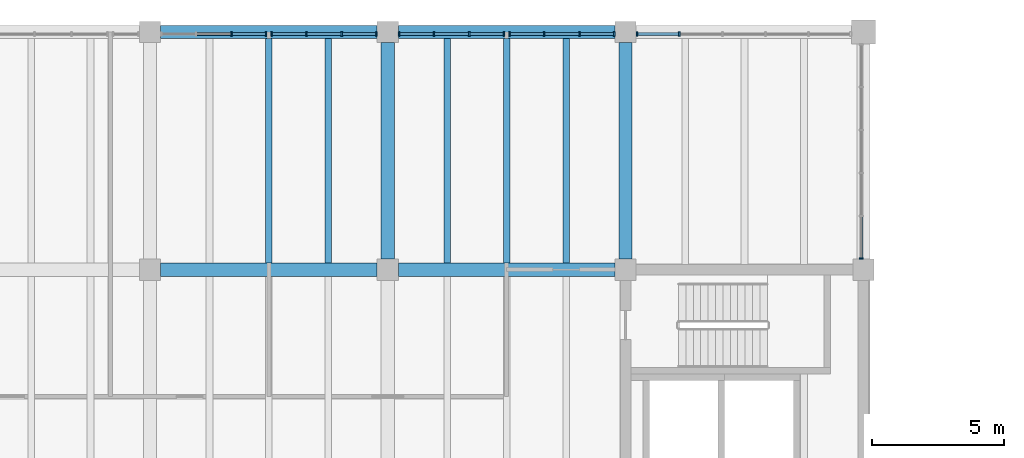
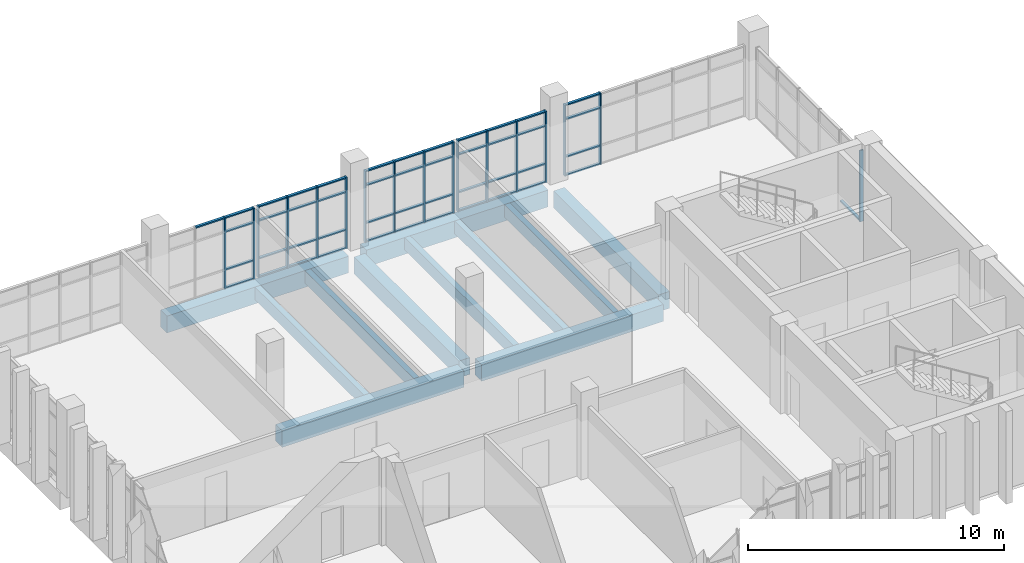
# One storey, part 10 of 29: 63 members, 11 beams, 6 elements without a shape of their own.
"""IFC4 building model written with IfcOpenShell, lengths in metres."""

from ifc_helpers import new_model, si_unit, direction, frame, origin, origin_2d, place, context, subcontext, project, spatial, rectangle, extrude, material, material_profile, profile_set, type_object, element, aggregate, save


model = new_model("IFC4")

# Units and contexts
model_context = context("Model", 3, precision=1e-05, world=origin(), true_north=direction((0.0, 1.0)))
body_context = subcontext(model_context, "Body", "Model", "MODEL_VIEW")
ifc_project = project(units=[si_unit("LENGTHUNIT", "METRE"), si_unit("AREAUNIT", "SQUARE_METRE"), si_unit("VOLUMEUNIT", "CUBIC_METRE"), si_unit("PLANEANGLEUNIT", "RADIAN"), si_unit("MASSUNIT", "GRAM", prefix="KILO")], contexts=[model_context])

# Site, building, storey
site_placement = place(None, origin())
site = spatial("IfcSite", under=ifc_project, at=site_placement, CompositionType="ELEMENT")
building_placement = place(site_placement, origin())
building = spatial("IfcBuilding", under=site, at=building_placement, Name="Merrow Basin Faculty of Sciences", CompositionType="ELEMENT")
storey_placement = place(building_placement, frame((0.0, 0.0, 22.5)))
storey = spatial("IfcBuildingStorey", under=building, at=storey_placement, Name="L05", CompositionType="ELEMENT", Elevation=22.5)

# Curtain wall, members
ifc_material_1 = material(Name="Aluminium alloy 6063", Category="aluminium")
curtain_wall_type = type_object("IfcCurtainWallType", Name="Unitised curtain wall 160", PredefinedType="NOTDEFINED", material=ifc_material_1)
curtain_wall_1_placement = place(storey_placement, origin())
curtain_wall_1 = element("IfcCurtainWall", 1, at=curtain_wall_1_placement, inside=storey, type_object=curtain_wall_type, Name="N curtain wall L05 3", PredefinedType="NOTDEFINED")
ifc_material_2 = material(Name="Aluminium alloy 6063", Category="aluminium")
ifc_material_profile_1 = material_profile(ifc_material_2, rectangle(XDim=0.159912109375, YDim=0.06005859375, at=origin_2d()))
ifc_profile_set_1 = profile_set([ifc_material_profile_1], Name="Aluminium alloy 6063")
member_type_1 = type_object("IfcMemberType", Name="Aluminium mullion 60x160", PredefinedType="MULLION", material=ifc_profile_set_1)
member_1_placement = place(storey_placement, frame((30.083251953125, 168.919921875, 0.0), z_axis=(0.0, 0.0, 1.0), x_axis=(0.0, 1.0, 0.0)))
member_1 = element("IfcMember", 2, at=member_1_placement, type_object=member_type_1, Name="CW3 mullion 3", PredefinedType="MULLION", context=body_context, shape_type="SweptSolid", body=[
    extrude(rectangle(XDim=0.159912109375, YDim=0.06005859375, at=origin_2d()), origin(), (0.0, 0.0, 1.0), 3.39990234375),
])
member_2_placement = place(storey_placement, frame((31.39501953125, 168.919921875, 0.0), z_axis=(0.0, 0.0, 1.0), x_axis=(0.0, 1.0, 0.0)))
member_2 = element("IfcMember", 3, at=member_2_placement, type_object=member_type_1, Name="CW3 mullion 4", PredefinedType="MULLION", context=body_context, shape_type="SweptSolid", body=[
    extrude(rectangle(XDim=0.159912109375, YDim=0.06005859375, at=origin_2d()), origin(), (0.0, 0.0, 1.0), 3.39990234375),
])

curtain_wall_2_placement = place(storey_placement, origin())
curtain_wall_2 = element("IfcCurtainWall", 4, at=curtain_wall_2_placement, inside=storey, type_object=curtain_wall_type, Name="N curtain wall L05 4", PredefinedType="NOTDEFINED")
member_3_placement = place(storey_placement, frame((31.60498046875, 168.919921875, 0.0), z_axis=(0.0, 0.0, 1.0), x_axis=(0.0, 1.0, 0.0)))
member_3 = element("IfcMember", 5, at=member_3_placement, type_object=member_type_1, Name="CW3 mullion 1", PredefinedType="MULLION", context=body_context, shape_type="SweptSolid", body=[
    extrude(rectangle(XDim=0.159912109375, YDim=0.06005859375, at=origin_2d()), origin(), (0.0, 0.0, 1.0), 3.39990234375),
])
member_4_placement = place(storey_placement, frame((32.916748046875, 168.919921875, 0.0), z_axis=(0.0, 0.0, 1.0), x_axis=(0.0, 1.0, 0.0)))
member_4 = element("IfcMember", 6, at=member_4_placement, type_object=member_type_1, Name="CW3 mullion 2", PredefinedType="MULLION", context=body_context, shape_type="SweptSolid", body=[
    extrude(rectangle(XDim=0.159912109375, YDim=0.06005859375, at=origin_2d()), origin(), (0.0, 0.0, 1.0), 3.39990234375),
])
member_5_placement = place(storey_placement, frame((34.25830078125, 168.919921875, 0.0), z_axis=(0.0, 0.0, 1.0), x_axis=(0.0, 1.0, 0.0)))
member_5 = element("IfcMember", 7, at=member_5_placement, type_object=member_type_1, Name="CW3 mullion 3", PredefinedType="MULLION", context=body_context, shape_type="SweptSolid", body=[
    extrude(rectangle(XDim=0.159912109375, YDim=0.06005859375, at=origin_2d()), origin(), (0.0, 0.0, 1.0), 3.39990234375),
])
member_6_placement = place(storey_placement, frame((35.570068359375, 168.919921875, 0.0), z_axis=(0.0, 0.0, 1.0), x_axis=(0.0, 1.0, 0.0)))
member_6 = element("IfcMember", 8, at=member_6_placement, type_object=member_type_1, Name="CW3 mullion 4", PredefinedType="MULLION", context=body_context, shape_type="SweptSolid", body=[
    extrude(rectangle(XDim=0.159912109375, YDim=0.06005859375, at=origin_2d()), origin(), (0.0, 0.0, 1.0), 3.39990234375),
])

curtain_wall_3_placement = place(storey_placement, origin())
curtain_wall_3 = element("IfcCurtainWall", 9, at=curtain_wall_3_placement, inside=storey, type_object=curtain_wall_type, Name="N curtain wall L05 5", PredefinedType="NOTDEFINED")
member_7_placement = place(storey_placement, frame((36.429931640625, 168.919921875, 0.0), z_axis=(0.0, 0.0, 1.0), x_axis=(0.0, 1.0, 0.0)))
member_7 = element("IfcMember", 10, at=member_7_placement, type_object=member_type_1, Name="CW3 mullion 1", PredefinedType="MULLION", context=body_context, shape_type="SweptSolid", body=[
    extrude(rectangle(XDim=0.159912109375, YDim=0.06005859375, at=origin_2d()), origin(), (0.0, 0.0, 1.0), 3.39990234375),
])
member_8_placement = place(storey_placement, frame((37.74169921875, 168.919921875, 0.0), z_axis=(0.0, 0.0, 1.0), x_axis=(0.0, 1.0, 0.0)))
member_8 = element("IfcMember", 11, at=member_8_placement, type_object=member_type_1, Name="CW3 mullion 2", PredefinedType="MULLION", context=body_context, shape_type="SweptSolid", body=[
    extrude(rectangle(XDim=0.159912109375, YDim=0.06005859375, at=origin_2d()), origin(), (0.0, 0.0, 1.0), 3.39990234375),
])
member_9_placement = place(storey_placement, frame((39.083251953125, 168.919921875, 0.0), z_axis=(0.0, 0.0, 1.0), x_axis=(0.0, 1.0, 0.0)))
member_9 = element("IfcMember", 12, at=member_9_placement, type_object=member_type_1, Name="CW3 mullion 3", PredefinedType="MULLION", context=body_context, shape_type="SweptSolid", body=[
    extrude(rectangle(XDim=0.159912109375, YDim=0.06005859375, at=origin_2d()), origin(), (0.0, 0.0, 1.0), 3.39990234375),
])
member_10_placement = place(storey_placement, frame((40.39501953125, 168.919921875, 0.0), z_axis=(0.0, 0.0, 1.0), x_axis=(0.0, 1.0, 0.0)))
member_10 = element("IfcMember", 13, at=member_10_placement, type_object=member_type_1, Name="CW3 mullion 4", PredefinedType="MULLION", context=body_context, shape_type="SweptSolid", body=[
    extrude(rectangle(XDim=0.159912109375, YDim=0.06005859375, at=origin_2d()), origin(), (0.0, 0.0, 1.0), 3.39990234375),
])

curtain_wall_4_placement = place(storey_placement, origin())
curtain_wall_4 = element("IfcCurtainWall", 14, at=curtain_wall_4_placement, inside=storey, type_object=curtain_wall_type, Name="N curtain wall L05 6", PredefinedType="NOTDEFINED")
member_11_placement = place(storey_placement, frame((40.60498046875, 168.919921875, 0.0), z_axis=(0.0, 0.0, 1.0), x_axis=(0.0, 1.0, 0.0)))
member_11 = element("IfcMember", 15, at=member_11_placement, type_object=member_type_1, Name="CW3 mullion 1", PredefinedType="MULLION", context=body_context, shape_type="SweptSolid", body=[
    extrude(rectangle(XDim=0.159912109375, YDim=0.06005859375, at=origin_2d()), origin(), (0.0, 0.0, 1.0), 3.39990234375),
])
member_12_placement = place(storey_placement, frame((41.916748046875, 168.919921875, 0.0), z_axis=(0.0, 0.0, 1.0), x_axis=(0.0, 1.0, 0.0)))
member_12 = element("IfcMember", 16, at=member_12_placement, type_object=member_type_1, Name="CW3 mullion 2", PredefinedType="MULLION", context=body_context, shape_type="SweptSolid", body=[
    extrude(rectangle(XDim=0.159912109375, YDim=0.06005859375, at=origin_2d()), origin(), (0.0, 0.0, 1.0), 3.39990234375),
])
member_13_placement = place(storey_placement, frame((43.25830078125, 168.919921875, 0.0), z_axis=(0.0, 0.0, 1.0), x_axis=(0.0, 1.0, 0.0)))
member_13 = element("IfcMember", 17, at=member_13_placement, type_object=member_type_1, Name="CW3 mullion 3", PredefinedType="MULLION", context=body_context, shape_type="SweptSolid", body=[
    extrude(rectangle(XDim=0.159912109375, YDim=0.06005859375, at=origin_2d()), origin(), (0.0, 0.0, 1.0), 3.39990234375),
])
member_14_placement = place(storey_placement, frame((44.570068359375, 168.919921875, 0.0), z_axis=(0.0, 0.0, 1.0), x_axis=(0.0, 1.0, 0.0)))
member_14 = element("IfcMember", 18, at=member_14_placement, type_object=member_type_1, Name="CW3 mullion 4", PredefinedType="MULLION", context=body_context, shape_type="SweptSolid", body=[
    extrude(rectangle(XDim=0.159912109375, YDim=0.06005859375, at=origin_2d()), origin(), (0.0, 0.0, 1.0), 3.39990234375),
])

curtain_wall_5_placement = place(storey_placement, origin())
curtain_wall_5 = element("IfcCurtainWall", 19, at=curtain_wall_5_placement, inside=storey, type_object=curtain_wall_type, Name="N curtain wall L05 7", PredefinedType="NOTDEFINED")
member_15_placement = place(storey_placement, frame((45.429931640625, 168.919921875, 0.0), z_axis=(0.0, 0.0, 1.0), x_axis=(0.0, 1.0, 0.0)))
member_15 = element("IfcMember", 20, at=member_15_placement, type_object=member_type_1, Name="CW3 mullion 1", PredefinedType="MULLION", context=body_context, shape_type="SweptSolid", body=[
    extrude(rectangle(XDim=0.159912109375, YDim=0.06005859375, at=origin_2d()), origin(), (0.0, 0.0, 1.0), 3.39990234375),
])
member_16_placement = place(storey_placement, frame((47.030029296875, 168.919921875, 0.0), z_axis=(0.0, 0.0, 1.0), x_axis=(0.0, 1.0, 0.0)))
member_16 = element("IfcMember", 21, at=member_16_placement, type_object=member_type_1, Name="CW3 mullion 2", PredefinedType="MULLION", context=body_context, shape_type="SweptSolid", body=[
    extrude(rectangle(XDim=0.159912109375, YDim=0.06005859375, at=origin_2d()), origin(), (0.0, 0.0, 1.0), 3.39990234375),
])

# Curtain wall, member
curtain_wall_6_placement = place(storey_placement, origin())
curtain_wall_6 = element("IfcCurtainWall", 22, at=curtain_wall_6_placement, inside=storey, type_object=curtain_wall_type, Name="E curtain wall L05 1", PredefinedType="NOTDEFINED")
member_17_placement = place(storey_placement, frame((53.919921875, 160.429931640625, 0.0), z_axis=(0.0, 0.0, 1.0), x_axis=(-1.0, 0.0, 0.0)))
member_17 = element("IfcMember", 23, at=member_17_placement, type_object=member_type_1, Name="CW3 mullion 1", PredefinedType="MULLION", context=body_context, shape_type="SweptSolid", body=[
    extrude(rectangle(XDim=0.159912109375, YDim=0.06005859375, at=origin_2d()), origin(), (0.0, 0.0, 1.0), 3.39990234375),
])

# Member
ifc_material_3 = material(Name="Aluminium alloy 6063", Category="aluminium")
ifc_material_profile_2 = material_profile(ifc_material_3, rectangle(XDim=0.1201171875, YDim=0.06005859375, at=origin_2d()))
ifc_profile_set_2 = profile_set([ifc_material_profile_2], Name="Aluminium alloy 6063")
member_type_2 = type_object("IfcMemberType", Name="Aluminium transom 60x120", PredefinedType="USERDEFINED", material=ifc_profile_set_2)
member_18_placement = place(storey_placement, frame((28.771728515625, 168.919921875, 3.3701171875), z_axis=(1.0, 0.0, 0.0), x_axis=(0.0, 1.0, 0.0)))
member_18 = element("IfcMember", 24, at=member_18_placement, type_object=member_type_2, Name="CW3 transom 2.4", ObjectType="TRANSOM", PredefinedType="USERDEFINED", context=body_context, shape_type="SweptSolid", body=[
    extrude(rectangle(XDim=0.1201171875, YDim=0.06005859375, at=origin_2d()), origin(), (0.0, 0.0, 1.0), 1.281494140625),
])

member_19_placement = place(storey_placement, frame((30.11328125, 168.919921875, 0.030029296875), z_axis=(1.0, 0.0, 0.0), x_axis=(0.0, 1.0, 0.0)))
member_19 = element("IfcMember", 25, at=member_19_placement, type_object=member_type_2, Name="CW3 transom 3.1", ObjectType="TRANSOM", PredefinedType="USERDEFINED", context=body_context, shape_type="SweptSolid", body=[
    extrude(rectangle(XDim=0.1201171875, YDim=0.06005859375, at=origin_2d()), origin(), (0.0, 0.0, 1.0), 1.251708984375),
])

member_20_placement = place(storey_placement, frame((30.11328125, 168.919921875, 0.89990234375), z_axis=(1.0, 0.0, 0.0), x_axis=(0.0, 1.0, 0.0)))
member_20 = element("IfcMember", 26, at=member_20_placement, type_object=member_type_2, Name="CW3 transom 3.2", ObjectType="TRANSOM", PredefinedType="USERDEFINED", context=body_context, shape_type="SweptSolid", body=[
    extrude(rectangle(XDim=0.1201171875, YDim=0.06005859375, at=origin_2d()), origin(), (0.0, 0.0, 1.0), 1.251708984375),
])

member_21_placement = place(storey_placement, frame((30.11328125, 168.919921875, 2.699951171875), z_axis=(1.0, 0.0, 0.0), x_axis=(0.0, 1.0, 0.0)))
member_21 = element("IfcMember", 27, at=member_21_placement, type_object=member_type_2, Name="CW3 transom 3.3", ObjectType="TRANSOM", PredefinedType="USERDEFINED", context=body_context, shape_type="SweptSolid", body=[
    extrude(rectangle(XDim=0.1201171875, YDim=0.06005859375, at=origin_2d()), origin(), (0.0, 0.0, 1.0), 1.251708984375),
])

member_22_placement = place(storey_placement, frame((30.11328125, 168.919921875, 3.3701171875), z_axis=(1.0, 0.0, 0.0), x_axis=(0.0, 1.0, 0.0)))
member_22 = element("IfcMember", 28, at=member_22_placement, type_object=member_type_2, Name="CW3 transom 3.4", ObjectType="TRANSOM", PredefinedType="USERDEFINED", context=body_context, shape_type="SweptSolid", body=[
    extrude(rectangle(XDim=0.1201171875, YDim=0.06005859375, at=origin_2d()), origin(), (0.0, 0.0, 1.0), 1.251708984375),
])

aggregate(curtain_wall_1, [member_1, member_2, member_18, member_19, member_20, member_21, member_22])

member_23_placement = place(storey_placement, frame((31.635009765625, 168.919921875, 0.030029296875), z_axis=(1.0, 0.0, 0.0), x_axis=(0.0, 1.0, 0.0)))
member_23 = element("IfcMember", 29, at=member_23_placement, type_object=member_type_2, Name="CW3 transom 1.1", ObjectType="TRANSOM", PredefinedType="USERDEFINED", context=body_context, shape_type="SweptSolid", body=[
    extrude(rectangle(XDim=0.1201171875, YDim=0.06005859375, at=origin_2d()), origin(), (0.0, 0.0, 1.0), 1.251708984375),
])

member_24_placement = place(storey_placement, frame((31.635009765625, 168.919921875, 0.89990234375), z_axis=(1.0, 0.0, 0.0), x_axis=(0.0, 1.0, 0.0)))
member_24 = element("IfcMember", 30, at=member_24_placement, type_object=member_type_2, Name="CW3 transom 1.2", ObjectType="TRANSOM", PredefinedType="USERDEFINED", context=body_context, shape_type="SweptSolid", body=[
    extrude(rectangle(XDim=0.1201171875, YDim=0.06005859375, at=origin_2d()), origin(), (0.0, 0.0, 1.0), 1.251708984375),
])

member_25_placement = place(storey_placement, frame((31.635009765625, 168.919921875, 2.699951171875), z_axis=(1.0, 0.0, 0.0), x_axis=(0.0, 1.0, 0.0)))
member_25 = element("IfcMember", 31, at=member_25_placement, type_object=member_type_2, Name="CW3 transom 1.3", ObjectType="TRANSOM", PredefinedType="USERDEFINED", context=body_context, shape_type="SweptSolid", body=[
    extrude(rectangle(XDim=0.1201171875, YDim=0.06005859375, at=origin_2d()), origin(), (0.0, 0.0, 1.0), 1.251708984375),
])

member_26_placement = place(storey_placement, frame((31.635009765625, 168.919921875, 3.3701171875), z_axis=(1.0, 0.0, 0.0), x_axis=(0.0, 1.0, 0.0)))
member_26 = element("IfcMember", 32, at=member_26_placement, type_object=member_type_2, Name="CW3 transom 1.4", ObjectType="TRANSOM", PredefinedType="USERDEFINED", context=body_context, shape_type="SweptSolid", body=[
    extrude(rectangle(XDim=0.1201171875, YDim=0.06005859375, at=origin_2d()), origin(), (0.0, 0.0, 1.0), 1.251708984375),
])

member_27_placement = place(storey_placement, frame((32.94677734375, 168.919921875, 0.030029296875), z_axis=(1.0, 0.0, 0.0), x_axis=(0.0, 1.0, 0.0)))
member_27 = element("IfcMember", 33, at=member_27_placement, type_object=member_type_2, Name="CW3 transom 2.1", ObjectType="TRANSOM", PredefinedType="USERDEFINED", context=body_context, shape_type="SweptSolid", body=[
    extrude(rectangle(XDim=0.1201171875, YDim=0.06005859375, at=origin_2d()), origin(), (0.0, 0.0, 1.0), 1.281494140625),
])

member_28_placement = place(storey_placement, frame((32.94677734375, 168.919921875, 0.89990234375), z_axis=(1.0, 0.0, 0.0), x_axis=(0.0, 1.0, 0.0)))
member_28 = element("IfcMember", 34, at=member_28_placement, type_object=member_type_2, Name="CW3 transom 2.2", ObjectType="TRANSOM", PredefinedType="USERDEFINED", context=body_context, shape_type="SweptSolid", body=[
    extrude(rectangle(XDim=0.1201171875, YDim=0.06005859375, at=origin_2d()), origin(), (0.0, 0.0, 1.0), 1.281494140625),
])

member_29_placement = place(storey_placement, frame((32.94677734375, 168.919921875, 2.699951171875), z_axis=(1.0, 0.0, 0.0), x_axis=(0.0, 1.0, 0.0)))
member_29 = element("IfcMember", 35, at=member_29_placement, type_object=member_type_2, Name="CW3 transom 2.3", ObjectType="TRANSOM", PredefinedType="USERDEFINED", context=body_context, shape_type="SweptSolid", body=[
    extrude(rectangle(XDim=0.1201171875, YDim=0.06005859375, at=origin_2d()), origin(), (0.0, 0.0, 1.0), 1.281494140625),
])

member_30_placement = place(storey_placement, frame((32.94677734375, 168.919921875, 3.3701171875), z_axis=(1.0, 0.0, 0.0), x_axis=(0.0, 1.0, 0.0)))
member_30 = element("IfcMember", 36, at=member_30_placement, type_object=member_type_2, Name="CW3 transom 2.4", ObjectType="TRANSOM", PredefinedType="USERDEFINED", context=body_context, shape_type="SweptSolid", body=[
    extrude(rectangle(XDim=0.1201171875, YDim=0.06005859375, at=origin_2d()), origin(), (0.0, 0.0, 1.0), 1.281494140625),
])

member_31_placement = place(storey_placement, frame((34.288330078125, 168.919921875, 0.030029296875), z_axis=(1.0, 0.0, 0.0), x_axis=(0.0, 1.0, 0.0)))
member_31 = element("IfcMember", 37, at=member_31_placement, type_object=member_type_2, Name="CW3 transom 3.1", ObjectType="TRANSOM", PredefinedType="USERDEFINED", context=body_context, shape_type="SweptSolid", body=[
    extrude(rectangle(XDim=0.1201171875, YDim=0.06005859375, at=origin_2d()), origin(), (0.0, 0.0, 1.0), 1.251708984375),
])

member_32_placement = place(storey_placement, frame((34.288330078125, 168.919921875, 0.89990234375), z_axis=(1.0, 0.0, 0.0), x_axis=(0.0, 1.0, 0.0)))
member_32 = element("IfcMember", 38, at=member_32_placement, type_object=member_type_2, Name="CW3 transom 3.2", ObjectType="TRANSOM", PredefinedType="USERDEFINED", context=body_context, shape_type="SweptSolid", body=[
    extrude(rectangle(XDim=0.1201171875, YDim=0.06005859375, at=origin_2d()), origin(), (0.0, 0.0, 1.0), 1.251708984375),
])

member_33_placement = place(storey_placement, frame((34.288330078125, 168.919921875, 2.699951171875), z_axis=(1.0, 0.0, 0.0), x_axis=(0.0, 1.0, 0.0)))
member_33 = element("IfcMember", 39, at=member_33_placement, type_object=member_type_2, Name="CW3 transom 3.3", ObjectType="TRANSOM", PredefinedType="USERDEFINED", context=body_context, shape_type="SweptSolid", body=[
    extrude(rectangle(XDim=0.1201171875, YDim=0.06005859375, at=origin_2d()), origin(), (0.0, 0.0, 1.0), 1.251708984375),
])

member_34_placement = place(storey_placement, frame((34.288330078125, 168.919921875, 3.3701171875), z_axis=(1.0, 0.0, 0.0), x_axis=(0.0, 1.0, 0.0)))
member_34 = element("IfcMember", 40, at=member_34_placement, type_object=member_type_2, Name="CW3 transom 3.4", ObjectType="TRANSOM", PredefinedType="USERDEFINED", context=body_context, shape_type="SweptSolid", body=[
    extrude(rectangle(XDim=0.1201171875, YDim=0.06005859375, at=origin_2d()), origin(), (0.0, 0.0, 1.0), 1.251708984375),
])

aggregate(curtain_wall_2, [member_3, member_4, member_5, member_6, member_23, member_24, member_25, member_26, member_27, member_28, member_29, member_30, member_31, member_32, member_33, member_34])

member_35_placement = place(storey_placement, frame((36.4599609375, 168.919921875, 0.030029296875), z_axis=(1.0, 0.0, 0.0), x_axis=(0.0, 1.0, 0.0)))
member_35 = element("IfcMember", 41, at=member_35_placement, type_object=member_type_2, Name="CW3 transom 1.1", ObjectType="TRANSOM", PredefinedType="USERDEFINED", context=body_context, shape_type="SweptSolid", body=[
    extrude(rectangle(XDim=0.1201171875, YDim=0.06005859375, at=origin_2d()), origin(), (0.0, 0.0, 1.0), 1.251708984375),
])

member_36_placement = place(storey_placement, frame((36.4599609375, 168.919921875, 0.89990234375), z_axis=(1.0, 0.0, 0.0), x_axis=(0.0, 1.0, 0.0)))
member_36 = element("IfcMember", 42, at=member_36_placement, type_object=member_type_2, Name="CW3 transom 1.2", ObjectType="TRANSOM", PredefinedType="USERDEFINED", context=body_context, shape_type="SweptSolid", body=[
    extrude(rectangle(XDim=0.1201171875, YDim=0.06005859375, at=origin_2d()), origin(), (0.0, 0.0, 1.0), 1.251708984375),
])

member_37_placement = place(storey_placement, frame((36.4599609375, 168.919921875, 2.699951171875), z_axis=(1.0, 0.0, 0.0), x_axis=(0.0, 1.0, 0.0)))
member_37 = element("IfcMember", 43, at=member_37_placement, type_object=member_type_2, Name="CW3 transom 1.3", ObjectType="TRANSOM", PredefinedType="USERDEFINED", context=body_context, shape_type="SweptSolid", body=[
    extrude(rectangle(XDim=0.1201171875, YDim=0.06005859375, at=origin_2d()), origin(), (0.0, 0.0, 1.0), 1.251708984375),
])

member_38_placement = place(storey_placement, frame((36.4599609375, 168.919921875, 3.3701171875), z_axis=(1.0, 0.0, 0.0), x_axis=(0.0, 1.0, 0.0)))
member_38 = element("IfcMember", 44, at=member_38_placement, type_object=member_type_2, Name="CW3 transom 1.4", ObjectType="TRANSOM", PredefinedType="USERDEFINED", context=body_context, shape_type="SweptSolid", body=[
    extrude(rectangle(XDim=0.1201171875, YDim=0.06005859375, at=origin_2d()), origin(), (0.0, 0.0, 1.0), 1.251708984375),
])

member_39_placement = place(storey_placement, frame((37.771728515625, 168.919921875, 0.030029296875), z_axis=(1.0, 0.0, 0.0), x_axis=(0.0, 1.0, 0.0)))
member_39 = element("IfcMember", 45, at=member_39_placement, type_object=member_type_2, Name="CW3 transom 2.1", ObjectType="TRANSOM", PredefinedType="USERDEFINED", context=body_context, shape_type="SweptSolid", body=[
    extrude(rectangle(XDim=0.1201171875, YDim=0.06005859375, at=origin_2d()), origin(), (0.0, 0.0, 1.0), 1.281494140625),
])

member_40_placement = place(storey_placement, frame((37.771728515625, 168.919921875, 0.89990234375), z_axis=(1.0, 0.0, 0.0), x_axis=(0.0, 1.0, 0.0)))
member_40 = element("IfcMember", 46, at=member_40_placement, type_object=member_type_2, Name="CW3 transom 2.2", ObjectType="TRANSOM", PredefinedType="USERDEFINED", context=body_context, shape_type="SweptSolid", body=[
    extrude(rectangle(XDim=0.1201171875, YDim=0.06005859375, at=origin_2d()), origin(), (0.0, 0.0, 1.0), 1.281494140625),
])

member_41_placement = place(storey_placement, frame((37.771728515625, 168.919921875, 2.699951171875), z_axis=(1.0, 0.0, 0.0), x_axis=(0.0, 1.0, 0.0)))
member_41 = element("IfcMember", 47, at=member_41_placement, type_object=member_type_2, Name="CW3 transom 2.3", ObjectType="TRANSOM", PredefinedType="USERDEFINED", context=body_context, shape_type="SweptSolid", body=[
    extrude(rectangle(XDim=0.1201171875, YDim=0.06005859375, at=origin_2d()), origin(), (0.0, 0.0, 1.0), 1.281494140625),
])

member_42_placement = place(storey_placement, frame((37.771728515625, 168.919921875, 3.3701171875), z_axis=(1.0, 0.0, 0.0), x_axis=(0.0, 1.0, 0.0)))
member_42 = element("IfcMember", 48, at=member_42_placement, type_object=member_type_2, Name="CW3 transom 2.4", ObjectType="TRANSOM", PredefinedType="USERDEFINED", context=body_context, shape_type="SweptSolid", body=[
    extrude(rectangle(XDim=0.1201171875, YDim=0.06005859375, at=origin_2d()), origin(), (0.0, 0.0, 1.0), 1.281494140625),
])

member_43_placement = place(storey_placement, frame((39.11328125, 168.919921875, 0.030029296875), z_axis=(1.0, 0.0, 0.0), x_axis=(0.0, 1.0, 0.0)))
member_43 = element("IfcMember", 49, at=member_43_placement, type_object=member_type_2, Name="CW3 transom 3.1", ObjectType="TRANSOM", PredefinedType="USERDEFINED", context=body_context, shape_type="SweptSolid", body=[
    extrude(rectangle(XDim=0.1201171875, YDim=0.06005859375, at=origin_2d()), origin(), (0.0, 0.0, 1.0), 1.251708984375),
])

member_44_placement = place(storey_placement, frame((39.11328125, 168.919921875, 0.89990234375), z_axis=(1.0, 0.0, 0.0), x_axis=(0.0, 1.0, 0.0)))
member_44 = element("IfcMember", 50, at=member_44_placement, type_object=member_type_2, Name="CW3 transom 3.2", ObjectType="TRANSOM", PredefinedType="USERDEFINED", context=body_context, shape_type="SweptSolid", body=[
    extrude(rectangle(XDim=0.1201171875, YDim=0.06005859375, at=origin_2d()), origin(), (0.0, 0.0, 1.0), 1.251708984375),
])

member_45_placement = place(storey_placement, frame((39.11328125, 168.919921875, 2.699951171875), z_axis=(1.0, 0.0, 0.0), x_axis=(0.0, 1.0, 0.0)))
member_45 = element("IfcMember", 51, at=member_45_placement, type_object=member_type_2, Name="CW3 transom 3.3", ObjectType="TRANSOM", PredefinedType="USERDEFINED", context=body_context, shape_type="SweptSolid", body=[
    extrude(rectangle(XDim=0.1201171875, YDim=0.06005859375, at=origin_2d()), origin(), (0.0, 0.0, 1.0), 1.251708984375),
])

member_46_placement = place(storey_placement, frame((39.11328125, 168.919921875, 3.3701171875), z_axis=(1.0, 0.0, 0.0), x_axis=(0.0, 1.0, 0.0)))
member_46 = element("IfcMember", 52, at=member_46_placement, type_object=member_type_2, Name="CW3 transom 3.4", ObjectType="TRANSOM", PredefinedType="USERDEFINED", context=body_context, shape_type="SweptSolid", body=[
    extrude(rectangle(XDim=0.1201171875, YDim=0.06005859375, at=origin_2d()), origin(), (0.0, 0.0, 1.0), 1.251708984375),
])

aggregate(curtain_wall_3, [member_7, member_8, member_9, member_10, member_35, member_36, member_37, member_38, member_39, member_40, member_41, member_42, member_43, member_44, member_45, member_46])

member_47_placement = place(storey_placement, frame((40.635009765625, 168.919921875, 0.030029296875), z_axis=(1.0, 0.0, 0.0), x_axis=(0.0, 1.0, 0.0)))
member_47 = element("IfcMember", 53, at=member_47_placement, type_object=member_type_2, Name="CW3 transom 1.1", ObjectType="TRANSOM", PredefinedType="USERDEFINED", context=body_context, shape_type="SweptSolid", body=[
    extrude(rectangle(XDim=0.1201171875, YDim=0.06005859375, at=origin_2d()), origin(), (0.0, 0.0, 1.0), 1.251708984375),
])

member_48_placement = place(storey_placement, frame((40.635009765625, 168.919921875, 0.89990234375), z_axis=(1.0, 0.0, 0.0), x_axis=(0.0, 1.0, 0.0)))
member_48 = element("IfcMember", 54, at=member_48_placement, type_object=member_type_2, Name="CW3 transom 1.2", ObjectType="TRANSOM", PredefinedType="USERDEFINED", context=body_context, shape_type="SweptSolid", body=[
    extrude(rectangle(XDim=0.1201171875, YDim=0.06005859375, at=origin_2d()), origin(), (0.0, 0.0, 1.0), 1.251708984375),
])

member_49_placement = place(storey_placement, frame((40.635009765625, 168.919921875, 2.699951171875), z_axis=(1.0, 0.0, 0.0), x_axis=(0.0, 1.0, 0.0)))
member_49 = element("IfcMember", 55, at=member_49_placement, type_object=member_type_2, Name="CW3 transom 1.3", ObjectType="TRANSOM", PredefinedType="USERDEFINED", context=body_context, shape_type="SweptSolid", body=[
    extrude(rectangle(XDim=0.1201171875, YDim=0.06005859375, at=origin_2d()), origin(), (0.0, 0.0, 1.0), 1.251708984375),
])

member_50_placement = place(storey_placement, frame((40.635009765625, 168.919921875, 3.3701171875), z_axis=(1.0, 0.0, 0.0), x_axis=(0.0, 1.0, 0.0)))
member_50 = element("IfcMember", 56, at=member_50_placement, type_object=member_type_2, Name="CW3 transom 1.4", ObjectType="TRANSOM", PredefinedType="USERDEFINED", context=body_context, shape_type="SweptSolid", body=[
    extrude(rectangle(XDim=0.1201171875, YDim=0.06005859375, at=origin_2d()), origin(), (0.0, 0.0, 1.0), 1.251708984375),
])

member_51_placement = place(storey_placement, frame((41.94677734375, 168.919921875, 0.030029296875), z_axis=(1.0, 0.0, 0.0), x_axis=(0.0, 1.0, 0.0)))
member_51 = element("IfcMember", 57, at=member_51_placement, type_object=member_type_2, Name="CW3 transom 2.1", ObjectType="TRANSOM", PredefinedType="USERDEFINED", context=body_context, shape_type="SweptSolid", body=[
    extrude(rectangle(XDim=0.1201171875, YDim=0.06005859375, at=origin_2d()), origin(), (0.0, 0.0, 1.0), 1.281494140625),
])

member_52_placement = place(storey_placement, frame((41.94677734375, 168.919921875, 0.89990234375), z_axis=(1.0, 0.0, 0.0), x_axis=(0.0, 1.0, 0.0)))
member_52 = element("IfcMember", 58, at=member_52_placement, type_object=member_type_2, Name="CW3 transom 2.2", ObjectType="TRANSOM", PredefinedType="USERDEFINED", context=body_context, shape_type="SweptSolid", body=[
    extrude(rectangle(XDim=0.1201171875, YDim=0.06005859375, at=origin_2d()), origin(), (0.0, 0.0, 1.0), 1.281494140625),
])

member_53_placement = place(storey_placement, frame((41.94677734375, 168.919921875, 2.699951171875), z_axis=(1.0, 0.0, 0.0), x_axis=(0.0, 1.0, 0.0)))
member_53 = element("IfcMember", 59, at=member_53_placement, type_object=member_type_2, Name="CW3 transom 2.3", ObjectType="TRANSOM", PredefinedType="USERDEFINED", context=body_context, shape_type="SweptSolid", body=[
    extrude(rectangle(XDim=0.1201171875, YDim=0.06005859375, at=origin_2d()), origin(), (0.0, 0.0, 1.0), 1.281494140625),
])

member_54_placement = place(storey_placement, frame((41.94677734375, 168.919921875, 3.3701171875), z_axis=(1.0, 0.0, 0.0), x_axis=(0.0, 1.0, 0.0)))
member_54 = element("IfcMember", 60, at=member_54_placement, type_object=member_type_2, Name="CW3 transom 2.4", ObjectType="TRANSOM", PredefinedType="USERDEFINED", context=body_context, shape_type="SweptSolid", body=[
    extrude(rectangle(XDim=0.1201171875, YDim=0.06005859375, at=origin_2d()), origin(), (0.0, 0.0, 1.0), 1.281494140625),
])

member_55_placement = place(storey_placement, frame((43.288330078125, 168.919921875, 0.030029296875), z_axis=(1.0, 0.0, 0.0), x_axis=(0.0, 1.0, 0.0)))
member_55 = element("IfcMember", 61, at=member_55_placement, type_object=member_type_2, Name="CW3 transom 3.1", ObjectType="TRANSOM", PredefinedType="USERDEFINED", context=body_context, shape_type="SweptSolid", body=[
    extrude(rectangle(XDim=0.1201171875, YDim=0.06005859375, at=origin_2d()), origin(), (0.0, 0.0, 1.0), 1.251708984375),
])

member_56_placement = place(storey_placement, frame((43.288330078125, 168.919921875, 0.89990234375), z_axis=(1.0, 0.0, 0.0), x_axis=(0.0, 1.0, 0.0)))
member_56 = element("IfcMember", 62, at=member_56_placement, type_object=member_type_2, Name="CW3 transom 3.2", ObjectType="TRANSOM", PredefinedType="USERDEFINED", context=body_context, shape_type="SweptSolid", body=[
    extrude(rectangle(XDim=0.1201171875, YDim=0.06005859375, at=origin_2d()), origin(), (0.0, 0.0, 1.0), 1.251708984375),
])

member_57_placement = place(storey_placement, frame((43.288330078125, 168.919921875, 2.699951171875), z_axis=(1.0, 0.0, 0.0), x_axis=(0.0, 1.0, 0.0)))
member_57 = element("IfcMember", 63, at=member_57_placement, type_object=member_type_2, Name="CW3 transom 3.3", ObjectType="TRANSOM", PredefinedType="USERDEFINED", context=body_context, shape_type="SweptSolid", body=[
    extrude(rectangle(XDim=0.1201171875, YDim=0.06005859375, at=origin_2d()), origin(), (0.0, 0.0, 1.0), 1.251708984375),
])

member_58_placement = place(storey_placement, frame((43.288330078125, 168.919921875, 3.3701171875), z_axis=(1.0, 0.0, 0.0), x_axis=(0.0, 1.0, 0.0)))
member_58 = element("IfcMember", 64, at=member_58_placement, type_object=member_type_2, Name="CW3 transom 3.4", ObjectType="TRANSOM", PredefinedType="USERDEFINED", context=body_context, shape_type="SweptSolid", body=[
    extrude(rectangle(XDim=0.1201171875, YDim=0.06005859375, at=origin_2d()), origin(), (0.0, 0.0, 1.0), 1.251708984375),
])

aggregate(curtain_wall_4, [member_11, member_12, member_13, member_14, member_47, member_48, member_49, member_50, member_51, member_52, member_53, member_54, member_55, member_56, member_57, member_58])

member_59_placement = place(storey_placement, frame((45.4599609375, 168.919921875, 0.030029296875), z_axis=(1.0, 0.0, 0.0), x_axis=(0.0, 1.0, 0.0)))
member_59 = element("IfcMember", 65, at=member_59_placement, type_object=member_type_2, Name="CW3 transom 1.1", ObjectType="TRANSOM", PredefinedType="USERDEFINED", context=body_context, shape_type="SweptSolid", body=[
    extrude(rectangle(XDim=0.1201171875, YDim=0.06005859375, at=origin_2d()), origin(), (0.0, 0.0, 1.0), 1.5400390625),
])

member_60_placement = place(storey_placement, frame((45.4599609375, 168.919921875, 0.89990234375), z_axis=(1.0, 0.0, 0.0), x_axis=(0.0, 1.0, 0.0)))
member_60 = element("IfcMember", 66, at=member_60_placement, type_object=member_type_2, Name="CW3 transom 1.2", ObjectType="TRANSOM", PredefinedType="USERDEFINED", context=body_context, shape_type="SweptSolid", body=[
    extrude(rectangle(XDim=0.1201171875, YDim=0.06005859375, at=origin_2d()), origin(), (0.0, 0.0, 1.0), 1.5400390625),
])

member_61_placement = place(storey_placement, frame((45.4599609375, 168.919921875, 2.699951171875), z_axis=(1.0, 0.0, 0.0), x_axis=(0.0, 1.0, 0.0)))
member_61 = element("IfcMember", 67, at=member_61_placement, type_object=member_type_2, Name="CW3 transom 1.3", ObjectType="TRANSOM", PredefinedType="USERDEFINED", context=body_context, shape_type="SweptSolid", body=[
    extrude(rectangle(XDim=0.1201171875, YDim=0.06005859375, at=origin_2d()), origin(), (0.0, 0.0, 1.0), 1.5400390625),
])

member_62_placement = place(storey_placement, frame((45.4599609375, 168.919921875, 3.3701171875), z_axis=(1.0, 0.0, 0.0), x_axis=(0.0, 1.0, 0.0)))
member_62 = element("IfcMember", 68, at=member_62_placement, type_object=member_type_2, Name="CW3 transom 1.4", ObjectType="TRANSOM", PredefinedType="USERDEFINED", context=body_context, shape_type="SweptSolid", body=[
    extrude(rectangle(XDim=0.1201171875, YDim=0.06005859375, at=origin_2d()), origin(), (0.0, 0.0, 1.0), 1.5400390625),
])

aggregate(curtain_wall_5, [member_15, member_16, member_59, member_60, member_61, member_62])

member_63_placement = place(storey_placement, frame((53.919921875, 160.4599609375, 0.030029296875), z_axis=(0.0, 1.0, 0.0), x_axis=(-1.0, 0.0, 0.0)))
member_63 = element("IfcMember", 69, at=member_63_placement, type_object=member_type_2, Name="CW3 transom 1.1", ObjectType="TRANSOM", PredefinedType="USERDEFINED", context=body_context, shape_type="SweptSolid", body=[
    extrude(rectangle(XDim=0.1201171875, YDim=0.06005859375, at=origin_2d()), origin(), (0.0, 0.0, 1.0), 1.5400390625),
])

aggregate(curtain_wall_6, [member_17, member_63])

# Beams
ifc_material_4 = material(Name="Concrete C40/50", Category="concrete")
ifc_material_profile_3 = material_profile(ifc_material_4, rectangle(XDim=0.5, YDim=0.800048828125, at=origin_2d()))
ifc_profile_set_3 = profile_set([ifc_material_profile_3], Name="Concrete C40/50")
beam_type_1 = type_object("IfcBeamType", Name="Beam RC500x800 C40/50", PredefinedType="BEAM", material=ifc_profile_set_3)
for number, where, z_axis, x_axis, name in (
    (70, (27.39990234375, 160.0, -0.699951171875), (1.0, 0.0, 0.0), (0.0, 1.0, 0.0), "B4 L05 007"),
    (71, (36.39990234375, 160.0, -0.699951171875), (1.0, 0.0, 0.0), (0.0, 1.0, 0.0), "B4 L05 008"),
    (72, (27.39990234375, 169.0, -0.699951171875), (1.0, 0.0, 0.0), (0.0, 1.0, 0.0), "B4 L05 010"),
    (73, (36.39990234375, 169.0, -0.699951171875), (1.0, 0.0, 0.0), (0.0, 1.0, 0.0), "B4 L05 011"),
    (74, (36.0, 160.39990234375, -0.699951171875), (0.0, 1.0, 0.0), (-1.0, 0.0, 0.0), "B4 L05 019"),
    (75, (45.0, 160.39990234375, -0.699951171875), (0.0, 1.0, 0.0), (-1.0, 0.0, 0.0), "B4 L05 020"),
):
    element("IfcBeam", number, at=place(storey_placement, frame(where, z_axis=z_axis, x_axis=x_axis)), inside=storey, type_object=beam_type_1, Name=name, PredefinedType="BEAM", context=body_context, shape_type="SweptSolid", body=[
        extrude(rectangle(XDim=0.5, YDim=0.800048828125, at=origin_2d()), origin(), (0.0, 0.0, 1.0), 8.2001953125),
    ])
ifc_material_5 = material(Name="Concrete C40/50", Category="concrete")
ifc_material_profile_4 = material_profile(ifc_material_5, rectangle(XDim=0.25, YDim=0.60009765625, at=origin_2d()))
ifc_profile_set_4 = profile_set([ifc_material_profile_4], Name="Concrete C40/50")
beam_type_2 = type_object("IfcBeamType", Name="Tower floor joist RC250x600 C40/50", PredefinedType="BEAM", material=ifc_profile_set_4)
for number, where, z_axis, x_axis, name in (
    (76, (31.5, 160.25, -0.60009765625), (0.0, 1.0, 0.0), (-1.0, 0.0, 0.0), "JT1 L05 039"),
    (77, (33.75, 160.25, -0.60009765625), (0.0, 1.0, 0.0), (-1.0, 0.0, 0.0), "JT1 L05 040"),
    (78, (38.25, 160.25, -0.60009765625), (0.0, 1.0, 0.0), (-1.0, 0.0, 0.0), "JT1 L05 047"),
    (79, (40.5, 160.25, -0.60009765625), (0.0, 1.0, 0.0), (-1.0, 0.0, 0.0), "JT1 L05 048"),
    (80, (42.75, 160.25, -0.60009765625), (0.0, 1.0, 0.0), (-1.0, 0.0, 0.0), "JT1 L05 049"),
):
    element("IfcBeam", number, at=place(storey_placement, frame(where, z_axis=z_axis, x_axis=x_axis)), inside=storey, type_object=beam_type_2, Name=name, PredefinedType="BEAM", context=body_context, shape_type="SweptSolid", body=[
        extrude(rectangle(XDim=0.25, YDim=0.60009765625, at=origin_2d()), origin(), (0.0, 0.0, 1.0), 8.5),
    ])

save(model, "model.ifc")
